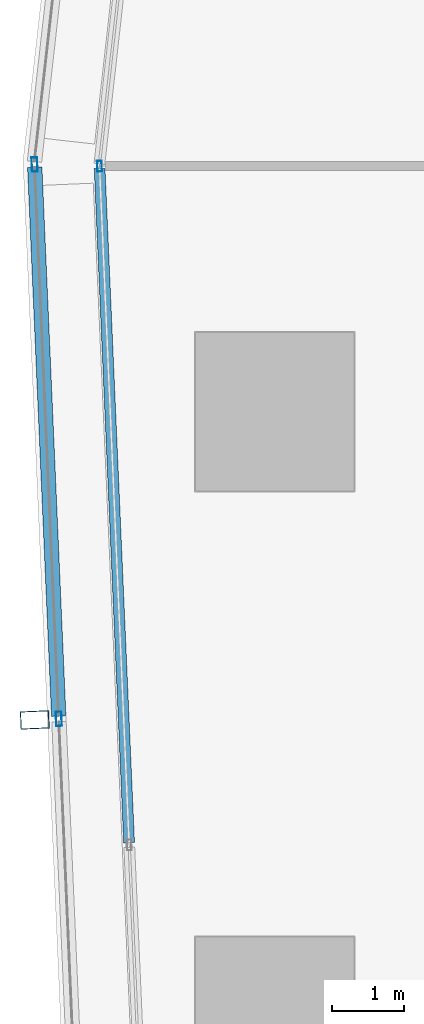
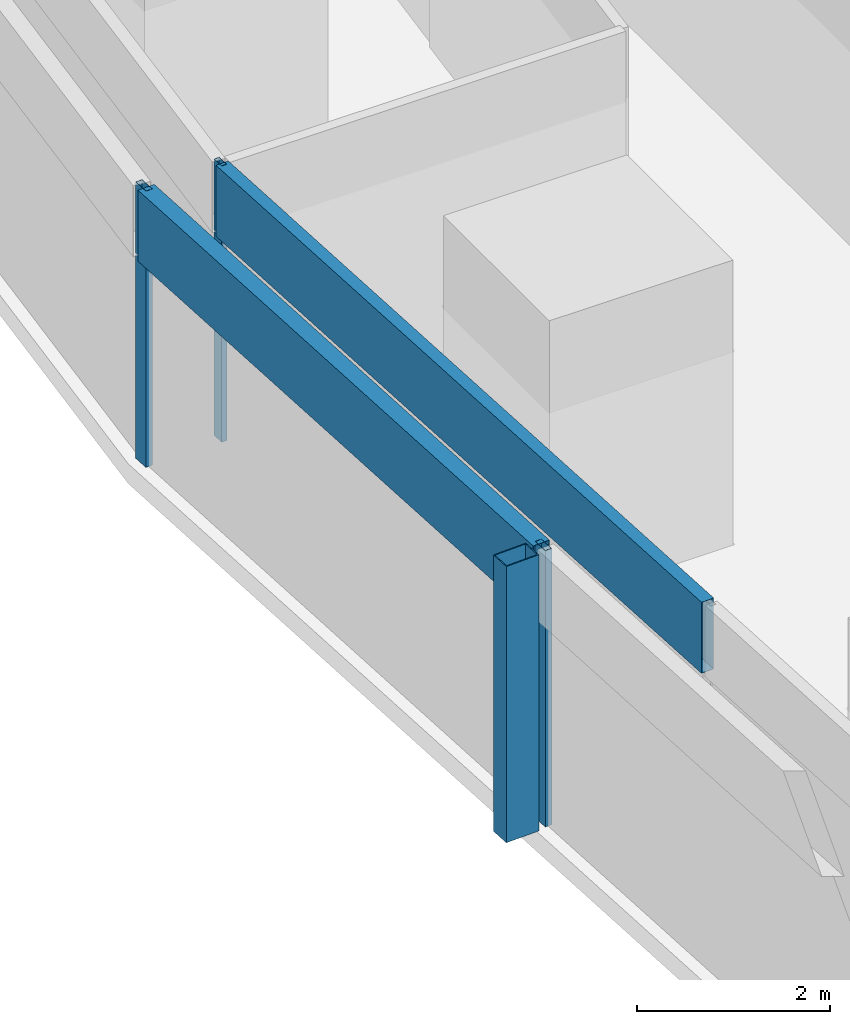
# One storey, part 14 of 44: 6 members, 2 elements without a shape of their own.
"""IFC4 building model written with IfcOpenShell, lengths in metres."""

import ifcopenshell
import ifcopenshell.guid

model = None  # the IFC model being written
_history = None  # IfcOwnerHistory: only IFC2X3 demands one
_inside = {}  # id of a spatial element -> (the spatial element, [elements in it])
_under = {}  # id of a project, library or spatial element -> (it, [spatial elements below it])
_declared = {}  # id of a project -> (the project, [libraries it declares])
_typed = {}  # id of a type object -> (the type object, [elements of that type])
_made_of = {}  # id of a material, layer set ... -> (it, [elements and type objects made of it])


def new_model(schema):
    """Start an empty IFC model of exactly this schema.

    Asked for "IFC4X3", IfcOpenShell would pick the latest addendum, in which some entities
    have other attributes; the version numbers below select the first issue.
    IFC2X3 requires an IfcOwnerHistory on every rooted entity: one is made here for all.
    """
    global model, _history
    if schema == "IFC4X3":
        model = ifcopenshell.file(schema_version=(4, 3, 0, 0))
    else:
        model = ifcopenshell.file(schema=schema)
    _inside.clear()
    _under.clear()
    _declared.clear()
    _typed.clear()
    _made_of.clear()
    _history = None
    if model.schema == "IFC2X3":
        org = make("IfcOrganization", Name="unknown")
        user = make(
            "IfcPersonAndOrganization",
            ThePerson=make("IfcPerson", FamilyName="unknown"),
            TheOrganization=org,
        )
        app = make(
            "IfcApplication",
            ApplicationDeveloper=org,
            Version="unknown",
            ApplicationFullName="unknown",
            ApplicationIdentifier="unknown",
        )
        _history = make(
            "IfcOwnerHistory",
            OwningUser=user,
            OwningApplication=app,
            ChangeAction="ADDED",
            CreationDate=0,
        )
    return model


def make(cls, **values):
    """One entity of the class cls with the attributes given. An attribute that is None is left unset."""
    return model.create_entity(
        cls, **{name: value for name, value in values.items() if value is not None}
    )


def rooted(cls, **values):
    """An entity with a GlobalId (a new one), such as an element, a storey or a relation."""
    return make(cls, GlobalId=ifcopenshell.guid.new(), OwnerHistory=_history, **values)


def si_unit(unit_type, name, prefix=None):
    """IfcSIUnit, for example si_unit("LENGTHUNIT", "METRE", prefix="MILLI")."""
    return make("IfcSIUnit", UnitType=unit_type, Prefix=prefix, Name=name)


def assignment(units):
    """IfcUnitAssignment: the units of a project."""
    return None if units is None else make("IfcUnitAssignment", Units=units)


def point(xyz):
    """IfcCartesianPoint."""
    return None if xyz is None else make("IfcCartesianPoint", Coordinates=xyz)


def direction(xyz):
    """IfcDirection."""
    return None if xyz is None else make("IfcDirection", DirectionRatios=xyz)


def frame(location, z_axis=None, x_axis=None):
    """IfcAxis2Placement3D, a coordinate frame: its origin and axes. An axis left out is left unset."""
    return make(
        "IfcAxis2Placement3D",
        Location=point(location),
        Axis=direction(z_axis),
        RefDirection=direction(x_axis),
    )


def frame_2d(location, x_axis=None):
    """IfcAxis2Placement2D, a coordinate frame in the plane: its origin and x axis."""
    return make(
        "IfcAxis2Placement2D", Location=point(location), RefDirection=direction(x_axis)
    )


def origin():
    """The frame at (0, 0, 0) with its axes left unset."""
    return frame((0.0, 0.0, 0.0))


def origin_2d():
    """The frame at (0, 0) in the plane with its x axis left unset."""
    return frame_2d((0.0, 0.0))


def place(relative_to, where):
    """IfcLocalPlacement: puts the frame where relative to a parent placement (None: the world)."""
    return make(
        "IfcLocalPlacement", PlacementRelTo=relative_to, RelativePlacement=where
    )


def context(
    kind, dimensions, precision=None, world=None, true_north=None, identifier=None
):
    """IfcGeometricRepresentationContext, for example the 3D "Model" context."""
    return make(
        "IfcGeometricRepresentationContext",
        ContextIdentifier=identifier,
        ContextType=kind,
        CoordinateSpaceDimension=dimensions,
        Precision=precision,
        WorldCoordinateSystem=world,
        TrueNorth=true_north,
    )


def subcontext(parent, identifier, kind, view, scale=None):
    """IfcGeometricRepresentationSubContext, for example "Body" below "Model"."""
    return make(
        "IfcGeometricRepresentationSubContext",
        ContextIdentifier=identifier,
        ContextType=kind,
        ParentContext=parent,
        TargetScale=scale,
        TargetView=view,
    )


def project(units=None, contexts=None):
    """IfcProject with its units and contexts."""
    return rooted(
        "IfcProject",
        Name="project",
        RepresentationContexts=contexts,
        UnitsInContext=assignment(units),
    )


def spatial(cls, under=None, at=None, **own):
    """A site, building, storey or space (cls), placed at a placement, below another one or the project."""
    s = rooted(cls, ObjectPlacement=at, **own)
    if under is not None:
        _under.setdefault(under.id(), (under, []))[1].append(s)
    return s


def profile(cls, at=None, kind="AREA", **sizes):
    """A parametric profile (cls). Its sizes go by their IFC names, for example OverallWidth=200.0."""
    return make(cls, ProfileType=kind, Position=at, **sizes)


def hollow_rectangle(**sizes):
    """IfcRectangleHollowProfileDef."""
    return profile("IfcRectangleHollowProfileDef", **sizes)


def extrude(swept, where, along, depth):
    """IfcExtrudedAreaSolid: the profile swept, set in the frame where, extruded along a direction by depth."""
    return make(
        "IfcExtrudedAreaSolid",
        SweptArea=swept,
        Position=where,
        ExtrudedDirection=direction(along),
        Depth=depth,
    )


def shape(context_of_items, identifier, shape_type, items):
    """IfcShapeRepresentation: the items that make up one representation, for example the "Body"."""
    return make(
        "IfcShapeRepresentation",
        ContextOfItems=context_of_items,
        RepresentationIdentifier=identifier,
        RepresentationType=shape_type,
        Items=items,
    )


def material(Name=None, Category=None):
    """IfcMaterial."""
    return make("IfcMaterial", Name=Name, Category=Category)


def material_profile(
    of_material, cross_section, Name=None, Category=None, Priority=None
):
    """IfcMaterialProfile: a cross section and its material."""
    return make(
        "IfcMaterialProfile",
        Name=Name,
        Material=of_material,
        Profile=cross_section,
        Priority=Priority,
        Category=Category,
    )


def profile_set(profiles, Name=None, composite=None):
    """IfcMaterialProfileSet."""
    return make(
        "IfcMaterialProfileSet",
        Name=Name,
        MaterialProfiles=profiles,
        CompositeProfile=composite,
    )


def made_of(thing, what):
    """Note that an element or type object is made of a material, layer set ...; save() writes the relation."""
    if what is not None:
        _made_of.setdefault(what.id(), (what, []))[1].append(thing)
    return thing


def type_object(cls, material=None, **own):
    """A type object (cls), such as IfcWallType, which elements share."""
    return made_of(rooted(cls, **own), material)


def element(
    cls,
    number,
    at=None,
    inside=None,
    cuts=None,
    type_object=None,
    material=None,
    context=None,
    identifier="Body",
    shape_type=None,
    held_by="IfcProductDefinitionShape",
    body=None,
    shapes=None,
    **own,
):
    """One element of the class cls, such as IfcWall. Its Tag is "e" and its number.

    at: its placement. inside: the storey or other place that contains it. cuts: it is an
    opening in that element (IfcRelVoidsElement). A single representation is given by context,
    identifier, shape_type and body (its items); several are given by shapes. held_by: the class
    of the entity that holds the representations. save() writes the other relations.
    """
    e = rooted(cls, Tag="e%d" % number, ObjectPlacement=at, **own)
    if body is not None:
        shapes = [shape(context, identifier, shape_type, body)]
    if shapes is not None:
        e.Representation = make(held_by, Representations=shapes)
    if inside is not None:
        _inside.setdefault(inside.id(), (inside, []))[1].append(e)
    if cuts is not None:
        rooted(
            "IfcRelVoidsElement", RelatingBuildingElement=cuts, RelatedOpeningElement=e
        )
    if type_object is not None:
        _typed.setdefault(type_object.id(), (type_object, []))[1].append(e)
    return made_of(e, material)


def aggregate(whole, parts):
    """IfcRelAggregates: a whole, such as a stair, and the parts it consists of."""
    return rooted("IfcRelAggregates", RelatingObject=whole, RelatedObjects=parts)


def save(model, path):
    """Write the relations noted so far, then the file.

    IfcRelAggregates (storeys below a building ...), IfcRelContainedInSpatialStructure (elements
    in a storey), IfcRelDefinesByType, IfcRelAssociatesMaterial and IfcRelDeclares: one each for
    every whole, place, type object, material and project.
    """
    for whole, parts in _under.values():
        aggregate(whole, parts)
    for where, things in _inside.values():
        rooted(
            "IfcRelContainedInSpatialStructure",
            RelatedElements=things,
            RelatingStructure=where,
        )
    for kind, things in _typed.values():
        rooted("IfcRelDefinesByType", RelatedObjects=things, RelatingType=kind)
    for what, things in _made_of.values():
        rooted("IfcRelAssociatesMaterial", RelatedObjects=things, RelatingMaterial=what)
    for by, libraries in _declared.values():
        rooted("IfcRelDeclares", RelatingContext=by, RelatedDefinitions=libraries)
    model.write(path)


model = new_model("IFC4")

# Units and contexts
model_context = context("Model", 3, precision=1e-05, world=origin(), true_north=direction((0.0, 1.0)))
body_context = subcontext(model_context, "Body", "Model", "MODEL_VIEW")
ifc_project = project(units=[si_unit("LENGTHUNIT", "METRE"), si_unit("AREAUNIT", "SQUARE_METRE"), si_unit("VOLUMEUNIT", "CUBIC_METRE"), si_unit("PLANEANGLEUNIT", "RADIAN"), si_unit("MASSUNIT", "GRAM", prefix="KILO")], contexts=[model_context])

# Site, building, storey
site_placement = place(None, origin())
site = spatial("IfcSite", under=ifc_project, at=site_placement, CompositionType="ELEMENT")
building_placement = place(site_placement, origin())
building = spatial("IfcBuilding", under=site, at=building_placement, Name="Rekha Terrace Tower", CompositionType="ELEMENT")
storey_placement = place(building_placement, frame((0.0, 0.0, 47.89990234375)))
storey = spatial("IfcBuildingStorey", under=building, at=storey_placement, Name="L11", CompositionType="ELEMENT", Elevation=47.89990234375)

# Curtain wall, member
ifc_material_1 = material(Name="Aluminium framing", Category="aluminium")
curtain_wall_type_1 = type_object("IfcCurtainWallType", Name="CW2 double skin outer glazing", PredefinedType="USERDEFINED", material=ifc_material_1)
curtain_wall_1_placement = place(storey_placement, origin())
curtain_wall_1 = element("IfcCurtainWall", 1, at=curtain_wall_1_placement, inside=storey, type_object=curtain_wall_type_1, Name="CW2 double skin outer glazing", ObjectType="DOUBLE SKIN OUTER GLAZING", PredefinedType="USERDEFINED")
ifc_material_2 = material(Name="Steel S355 with fluorocarbon finish", Category="steel")
ifc_material_profile_1 = material_profile(ifc_material_2, hollow_rectangle(XDim=0.25, YDim=0.39990234375, WallThickness=0.012451171875, at=origin_2d()), Name="RHS400x250x12.5")
ifc_profile_set_1 = profile_set([ifc_material_profile_1], Name="Steel S355 with fluorocarbon finish")
member_type_1 = type_object("IfcMemberType", Name="BL1 facade blade RHS 400 x 250", PredefinedType="USERDEFINED", material=ifc_profile_set_1)
member_1_placement = place(storey_placement, frame((5.064208984375, 37.715576171875, 0.0), z_axis=(0.0, 0.0, 1.0), x_axis=(0.04368215933, -0.999045478923, 0.0)))
member_1 = element("IfcMember", 2, at=member_1_placement, type_object=member_type_1, Name="Facade blade", ObjectType="FACADE BLADE", PredefinedType="USERDEFINED", context=body_context, shape_type="SweptSolid", body=[
    extrude(hollow_rectangle(XDim=0.25, YDim=0.39990234375, WallThickness=0.012451171875, at=origin_2d()), origin(), (0.0, 0.0, 1.0), 3.5),
])

# Curtain wall, members
curtain_wall_type_2 = type_object("IfcCurtainWallType", Name="CW1 double skin inner glazing", PredefinedType="USERDEFINED", material=ifc_material_1)
curtain_wall_2_placement = place(storey_placement, origin())
curtain_wall_2 = element("IfcCurtainWall", 3, at=curtain_wall_2_placement, inside=storey, type_object=curtain_wall_type_2, Name="CW1 double skin inner glazing", ObjectType="DOUBLE SKIN INNER GLAZING", PredefinedType="USERDEFINED")
ifc_material_3 = material(Name="Aluminium mullion section", Category="aluminium")
ifc_material_profile_2 = material_profile(ifc_material_3, hollow_rectangle(XDim=0.06494140625, YDim=0.14990234375, WallThickness=0.00390625, at=origin_2d()), Name="AL RHS 65x150")
ifc_profile_set_2 = profile_set([ifc_material_profile_2], Name="Aluminium mullion section")
member_type_2 = type_object("IfcMemberType", Name="CW1 mullion RHS 65 x 150", PredefinedType="MULLION", material=ifc_profile_set_2)
member_2_placement = place(storey_placement, frame((5.964111328125, 45.4111328125, 0.0), z_axis=(0.0, 0.0, 1.0), x_axis=(0.999045462133, 0.043682543337, 0.0)))
member_2 = element("IfcMember", 4, at=member_2_placement, type_object=member_type_2, Name="CW1 mullion 1", PredefinedType="MULLION", context=body_context, shape_type="SweptSolid", body=[
    extrude(hollow_rectangle(XDim=0.06494140625, YDim=0.14990234375, WallThickness=0.00390625, at=origin_2d()), origin(), (0.0, 0.0, 1.0), 3.5),
])
ifc_material_4 = material(Name="Insulated aluminium spandrel box", Category="aluminium")
ifc_material_profile_3 = material_profile(ifc_material_4, hollow_rectangle(XDim=0.14990234375, YDim=0.89990234375, WallThickness=0.0029296875, at=origin_2d()), Name="AL SPANDREL BOX 150x900")
ifc_profile_set_3 = profile_set([ifc_material_profile_3], Name="Insulated aluminium spandrel box")
member_type_3 = type_object("IfcMemberType", Name="CW1 spandrel transom 150 x 900", PredefinedType="USERDEFINED", material=ifc_profile_set_3)
member_3_placement = place(storey_placement, frame((5.96533203125, 45.378662109375, 3.050048828125), z_axis=(0.043689187094, -0.999045171617, 0.0), x_axis=(0.999045171617, 0.043689187094, 0.0)))
member_3 = element("IfcMember", 5, at=member_3_placement, type_object=member_type_3, Name="CW1 spandrel transom 1", ObjectType="TRANSOM", PredefinedType="USERDEFINED", context=body_context, shape_type="SweptSolid", body=[
    extrude(hollow_rectangle(XDim=0.14990234375, YDim=0.89990234375, WallThickness=0.0029296875, at=origin_2d()), origin(), (0.0, 0.0, 1.0), 9.376953125),
])
aggregate(curtain_wall_2, [member_2, member_3])

# Member
ifc_material_profile_4 = material_profile(ifc_material_3, hollow_rectangle(XDim=0.080078125, YDim=0.199951171875, WallThickness=0.00390625, at=origin_2d()), Name="AL RHS 80x200")
ifc_profile_set_4 = profile_set([ifc_material_profile_4], Name="Aluminium mullion section")
member_type_4 = type_object("IfcMemberType", Name="CW2 mullion RHS 80 x 200", PredefinedType="MULLION", material=ifc_profile_set_4)
member_4_placement = place(storey_placement, frame((5.062255859375, 45.4345703125, 0.0), z_axis=(0.0, 0.0, 1.0), x_axis=(0.999045462131, 0.043682543372, 0.0)))
member_4 = element("IfcMember", 6, at=member_4_placement, type_object=member_type_4, Name="CW2 mullion 1", PredefinedType="MULLION", context=body_context, shape_type="SweptSolid", body=[
    extrude(hollow_rectangle(XDim=0.080078125, YDim=0.199951171875, WallThickness=0.00390625, at=origin_2d()), origin(), (0.0, 0.0, 1.0), 3.5),
])

member_5_placement = place(storey_placement, frame((5.39892578125, 37.730224609375, 0.0), z_axis=(0.0, 0.0, 1.0), x_axis=(0.999045462131, 0.043682543372, 0.0)))
member_5 = element("IfcMember", 7, at=member_5_placement, type_object=member_type_4, Name="CW2 mullion 2", PredefinedType="MULLION", context=body_context, shape_type="SweptSolid", body=[
    extrude(hollow_rectangle(XDim=0.080078125, YDim=0.199951171875, WallThickness=0.00390625, at=origin_2d()), origin(), (0.0, 0.0, 1.0), 3.5),
])

ifc_material_profile_5 = material_profile(ifc_material_4, hollow_rectangle(XDim=0.199951171875, YDim=0.89990234375, WallThickness=0.0029296875, at=origin_2d()), Name="AL SPANDREL BOX 200x900")
ifc_profile_set_5 = profile_set([ifc_material_profile_5], Name="Insulated aluminium spandrel box")
member_type_5 = type_object("IfcMemberType", Name="CW2 spandrel transom 200 x 900", PredefinedType="USERDEFINED", material=ifc_profile_set_5)
member_6_placement = place(storey_placement, frame((5.06396484375, 45.39453125, 3.050048828125), z_axis=(0.043666283256, -0.99904617296, 0.0), x_axis=(0.99904617296, 0.043666283256, 0.0)))
member_6 = element("IfcMember", 8, at=member_6_placement, type_object=member_type_5, Name="CW2 spandrel transom 1", ObjectType="TRANSOM", PredefinedType="USERDEFINED", context=body_context, shape_type="SweptSolid", body=[
    extrude(hollow_rectangle(XDim=0.199951171875, YDim=0.89990234375, WallThickness=0.0029296875, at=origin_2d()), origin(), (0.0, 0.0, 1.0), 7.6318359375),
])

aggregate(curtain_wall_1, [member_4, member_5, member_6, member_1])

save(model, "model.ifc")
